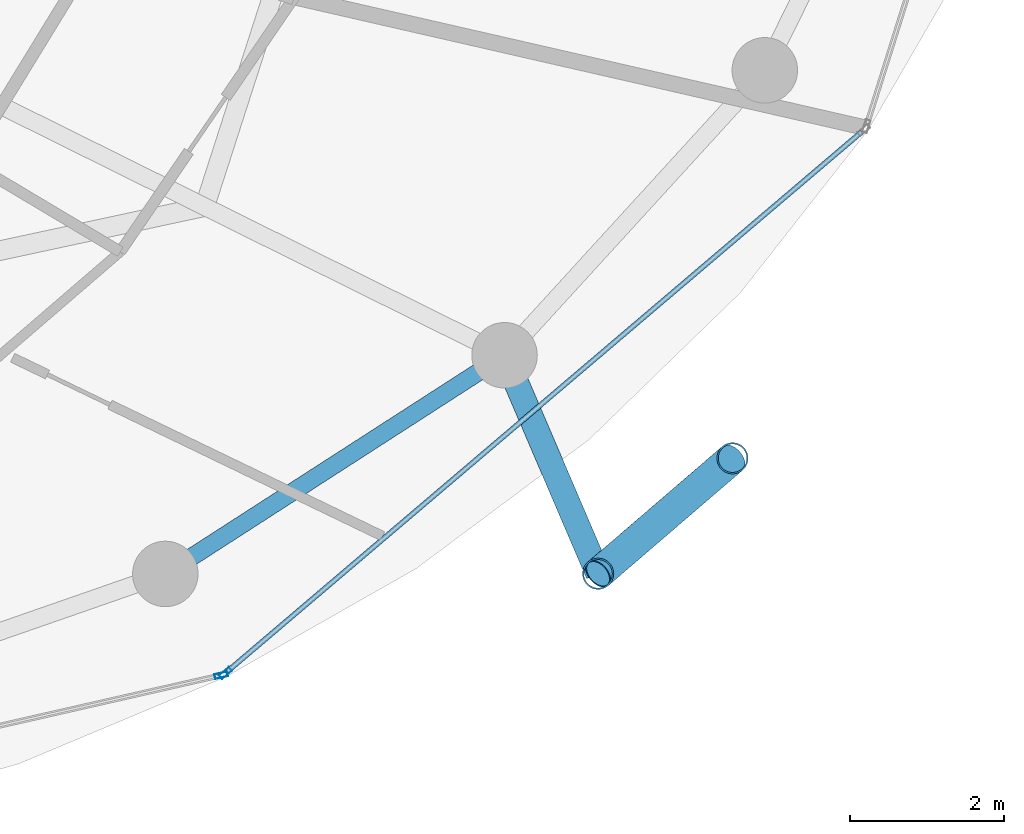
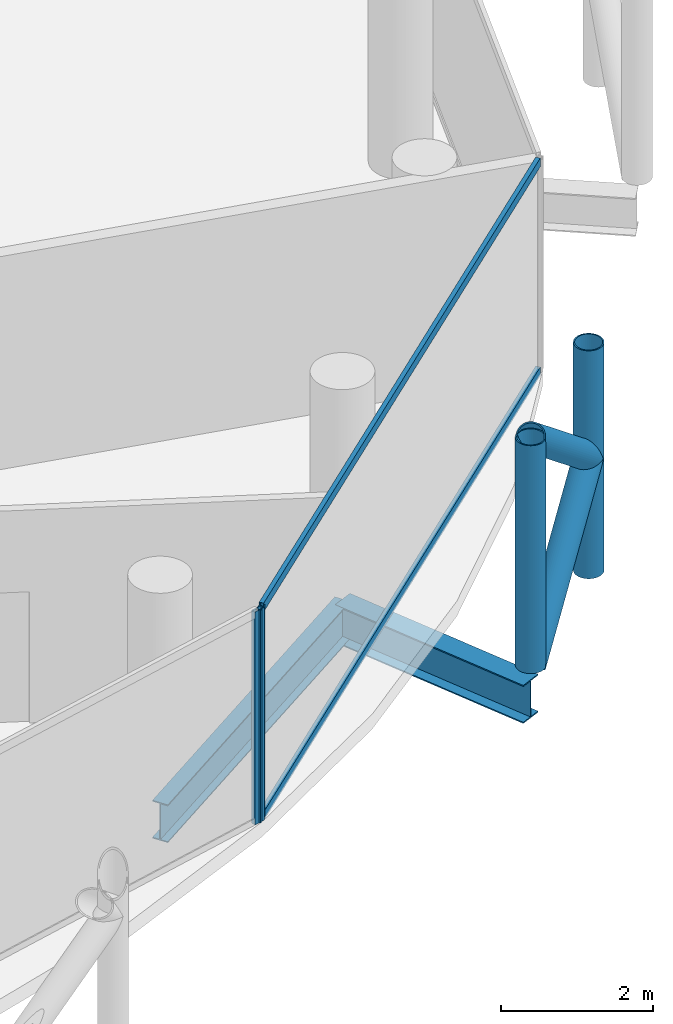
# One storey, part 11 of 27: 8 members, 2 beams, 2 elements without a shape of their own.
"""IFC4 building model written with IfcOpenShell, lengths in metres."""

from ifc_helpers import new_model, si_unit, direction, frame, origin, origin_2d, place, context, subcontext, project, spatial, hollow_rectangle, hollow_circle, i_section, extrude, material, layer, layer_set, material_profile, profile_set, type_object, element, aggregate, save


model = new_model("IFC4")

# Units and contexts
model_context = context("Model", 3, precision=1e-05, world=origin(), true_north=direction((0.0, 1.0)))
body_context = subcontext(model_context, "Body", "Model", "MODEL_VIEW")
ifc_project = project(units=[si_unit("LENGTHUNIT", "METRE"), si_unit("AREAUNIT", "SQUARE_METRE"), si_unit("VOLUMEUNIT", "CUBIC_METRE"), si_unit("PLANEANGLEUNIT", "RADIAN"), si_unit("MASSUNIT", "GRAM", prefix="KILO")], contexts=[model_context])

# Site, building, storey
site_placement = place(None, origin())
site = spatial("IfcSite", under=ifc_project, at=site_placement, CompositionType="ELEMENT")
building_placement = place(site_placement, origin())
building = spatial("IfcBuilding", under=site, at=building_placement, Name="Nuhasar Tower", CompositionType="ELEMENT")
storey_placement = place(building_placement, frame((0.0, 0.0, 208.14990234375)))
storey = spatial("IfcBuildingStorey", under=building, at=storey_placement, Name="L50", CompositionType="ELEMENT", Elevation=208.14990234375)

# Beams
ifc_material_1 = material(Name="Steel S355", Category="steel")
ifc_material_profile_1 = material_profile(ifc_material_1, i_section(OverallWidth=0.22802734375, OverallDepth=0.60791015625, WebThickness=0.01123046875, FlangeThickness=0.017333984375, at=origin_2d()), Name="W24X76")
ifc_profile_set_1 = profile_set([ifc_material_profile_1], Name="Steel S355")
beam_type_1 = type_object("IfcBeamType", Name="BM-RING-W24X76", PredefinedType="SPANDREL", material=ifc_profile_set_1)
beam_1_placement = place(storey_placement, frame((49.625, 11.341064453125, -0.5439453125), z_axis=(0.840502144969, 0.541808217272, 0.0), x_axis=(-0.541808217272, 0.840502144969, 0.0)))
element("IfcBeam", 1, at=beam_1_placement, inside=storey, type_object=beam_type_1, Name="L50 Perimeter Ring Spandrel 21", PredefinedType="SPANDREL", context=body_context, shape_type="SweptSolid", body=[
    extrude(i_section(OverallWidth=0.22802734375, OverallDepth=0.60791015625, WebThickness=0.01123046875, FlangeThickness=0.017333984375, at=origin_2d()), origin(), (0.0, 0.0, 1.0), 5.236083984375),
])
ifc_material_profile_2 = material_profile(ifc_material_1, i_section(OverallWidth=0.323974609375, OverallDepth=0.611083984375, WebThickness=0.0126953125, FlangeThickness=0.01904296875, at=origin_2d()), Name="W24X104")
ifc_profile_set_2 = profile_set([ifc_material_profile_2], Name="Steel S355")
beam_type_2 = type_object("IfcBeamType", Name="BM-TIE-W24X104", PredefinedType="BEAM", material=ifc_profile_set_2)
beam_2_placement = place(storey_placement, frame((54.02587890625, 14.177978515625, -0.544921875), z_axis=(0.393680429682, -0.919247365667, 0.0), x_axis=(0.919247365667, 0.393680429682, 0.0)))
element("IfcBeam", 2, at=beam_2_placement, inside=storey, type_object=beam_type_2, Name="L50 Exoskeleton Node Tie Beam 11", PredefinedType="BEAM", context=body_context, shape_type="SweptSolid", body=[
    extrude(i_section(OverallWidth=0.323974609375, OverallDepth=0.611083984375, WebThickness=0.0126953125, FlangeThickness=0.01904296875, at=origin_2d()), origin(), (0.0, 0.0, 1.0), 3.083984375),
])

# Curtain wall, member
ifc_material_2 = material(Name="Aluminium 6063-T6", Category="aluminium")
ifc_layer = layer(ifc_material_2, 0.18994140625)
ifc_layer_set = layer_set([ifc_layer], Name="Aluminium 6063-T6")
curtain_wall_type = type_object("IfcCurtainWallType", Name="CW-Z3-RES", PredefinedType="NOTDEFINED", material=ifc_layer_set)
curtain_wall_1_placement = place(storey_placement, origin())
curtain_wall_1 = element("IfcCurtainWall", 3, at=curtain_wall_1_placement, inside=storey, type_object=curtain_wall_type, Name="L50 Unitised Curtain Wall 10", PredefinedType="NOTDEFINED")
ifc_material_profile_3 = material_profile(ifc_material_2, hollow_rectangle(XDim=0.06494140625, YDim=0.169921875, WallThickness=0.0048828125, at=origin_2d()), Name="CWM-4")
ifc_profile_set_3 = profile_set([ifc_material_profile_3], Name="Aluminium 6063-T6")
member_type_1 = type_object("IfcMemberType", Name="CW-MUL-S4", PredefinedType="MULLION", material=ifc_profile_set_3)
member_1_placement = place(storey_placement, frame((50.348388671875, 10.02685546875, 0.0), z_axis=(0.0, 0.0, 1.0), x_axis=(-0.222243176313, 0.974991266926, 0.0)))
member_1 = element("IfcMember", 4, at=member_1_placement, type_object=member_type_1, Name="CW-Z3 mullion 2", PredefinedType="MULLION", context=body_context, shape_type="SweptSolid", body=[
    extrude(hollow_rectangle(XDim=0.06494140625, YDim=0.169921875, WallThickness=0.0048828125, at=origin_2d()), origin(), (0.0, 0.0, 1.0), 3.41015625),
])
aggregate(curtain_wall_1, [member_1])

# Curtain wall, members
curtain_wall_2_placement = place(storey_placement, origin())
curtain_wall_2 = element("IfcCurtainWall", 5, at=curtain_wall_2_placement, inside=storey, type_object=curtain_wall_type, Name="L50 Unitised Curtain Wall 11", PredefinedType="NOTDEFINED")
member_2_placement = place(storey_placement, frame((50.40478515625, 10.05517578125, 0.0), z_axis=(0.0, 0.0, 1.0), x_axis=(-0.64789521578, 0.761729472562, 0.0)))
member_2 = element("IfcMember", 6, at=member_2_placement, type_object=member_type_1, Name="CW-Z3 mullion 1", PredefinedType="MULLION", context=body_context, shape_type="SweptSolid", body=[
    extrude(hollow_rectangle(XDim=0.06494140625, YDim=0.169921875, WallThickness=0.0048828125, at=origin_2d()), origin(), (0.0, 0.0, 1.0), 3.41015625),
])
ifc_material_profile_4 = material_profile(ifc_material_2, hollow_rectangle(XDim=0.06494140625, YDim=0.139892578125, WallThickness=0.00439453125, at=origin_2d()), Name="CWT-4")
ifc_profile_set_4 = profile_set([ifc_material_profile_4], Name="Aluminium 6063-T6")
member_type_2 = type_object("IfcMemberType", Name="CW-TRN-S4", PredefinedType="USERDEFINED", material=ifc_profile_set_4)
member_3_placement = place(storey_placement, frame((50.429443359375, 10.076171875, 0.03271484375), z_axis=(0.761730809511, 0.647893643928, 0.0), x_axis=(-0.647893643928, 0.761730809511, 0.0)))
member_3 = element("IfcMember", 7, at=member_3_placement, type_object=member_type_2, Name="CW-Z3 transom 1.1", ObjectType="TRANSOM", PredefinedType="USERDEFINED", context=body_context, shape_type="SweptSolid", body=[
    extrude(hollow_rectangle(XDim=0.06494140625, YDim=0.139892578125, WallThickness=0.00439453125, at=origin_2d()), origin(), (0.0, 0.0, 1.0), 10.806884765625),
])
member_4_placement = place(storey_placement, frame((50.429443359375, 10.076171875, 3.377685546875), z_axis=(0.761730809511, 0.647893643928, 0.0), x_axis=(-0.647893643928, 0.761730809511, 0.0)))
member_4 = element("IfcMember", 8, at=member_4_placement, type_object=member_type_2, Name="CW-Z3 transom 1.2", ObjectType="TRANSOM", PredefinedType="USERDEFINED", context=body_context, shape_type="SweptSolid", body=[
    extrude(hollow_rectangle(XDim=0.06494140625, YDim=0.139892578125, WallThickness=0.00439453125, at=origin_2d()), origin(), (0.0, 0.0, 1.0), 10.806884765625),
])
aggregate(curtain_wall_2, [member_2, member_3, member_4])

# Members
ifc_material_3 = material(Name="Steel S460", Category="steel")
ifc_material_profile_5 = material_profile(ifc_material_3, hollow_circle(Radius=0.203125, WallThickness=0.01904296875, at=origin_2d()), Name="HSS406.4X19.1")
ifc_profile_set_5 = profile_set([ifc_material_profile_5], Name="Steel S460")
member_type_3 = type_object("IfcMemberType", Name="EXO-BRONZE-406", PredefinedType="BRACE", material=ifc_profile_set_5)
for number, where, z_axis, x_axis, name in (
    (9, (55.239990234375, 11.343017578125, 0.0), (0.0, 0.0, 1.0), (1.0, 0.0, 0.0), "L50 Exoskeleton Chord Column EC-11A"),
    (10, (56.98388671875, 12.842041015625, 0.0), (0.0, 0.0, 1.0), (1.0, 0.0, 0.0), "L50 Exoskeleton Chord Column EC-11B"),
):
    element("IfcMember", number, at=place(storey_placement, frame(where, z_axis=z_axis, x_axis=x_axis)), inside=storey, type_object=member_type_3, Name=name, PredefinedType="BRACE", context=body_context, shape_type="SweptSolid", body=[
        extrude(hollow_circle(Radius=0.203125, WallThickness=0.01904296875, at=origin_2d()), origin(), (0.0, 0.0, 1.0), 3.650146484375),
    ])
for number, where, z_axis, x_axis, name in (
    (11, (55.239990234375, 11.343017578125, 0.0), (0.593987827832, 0.51058172517, 0.621678986543), (-0.65185738425, 0.758341579104, 0.0), "L50 Bronze Diagrid Brace W1-11"),
    (12, (56.98388671875, 12.842041015625, 1.8251953125), (-0.594018535389, -0.510608120858, 0.621627964725), (0.65185738425, -0.758341579104, 0.0), "L50 Bronze Diagrid Brace W2-11"),
):
    element("IfcMember", number, at=place(storey_placement, frame(where, z_axis=z_axis, x_axis=x_axis)), inside=storey, type_object=member_type_3, Name=name, PredefinedType="BRACE", context=body_context, shape_type="SweptSolid", body=[
        extrude(hollow_circle(Radius=0.203125, WallThickness=0.01904296875, at=origin_2d()), origin(), (0.0, 0.0, 1.0), 2.935791015625),
    ])

save(model, "model.ifc")
